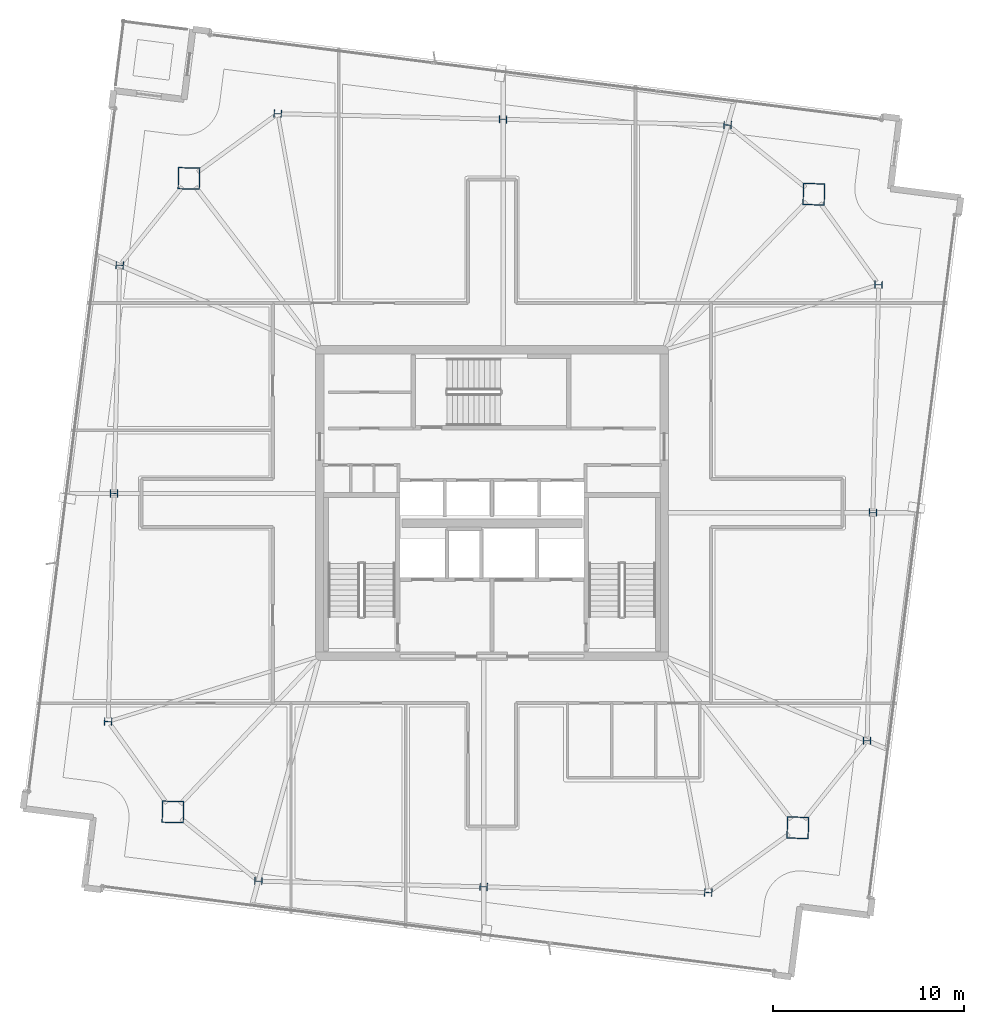
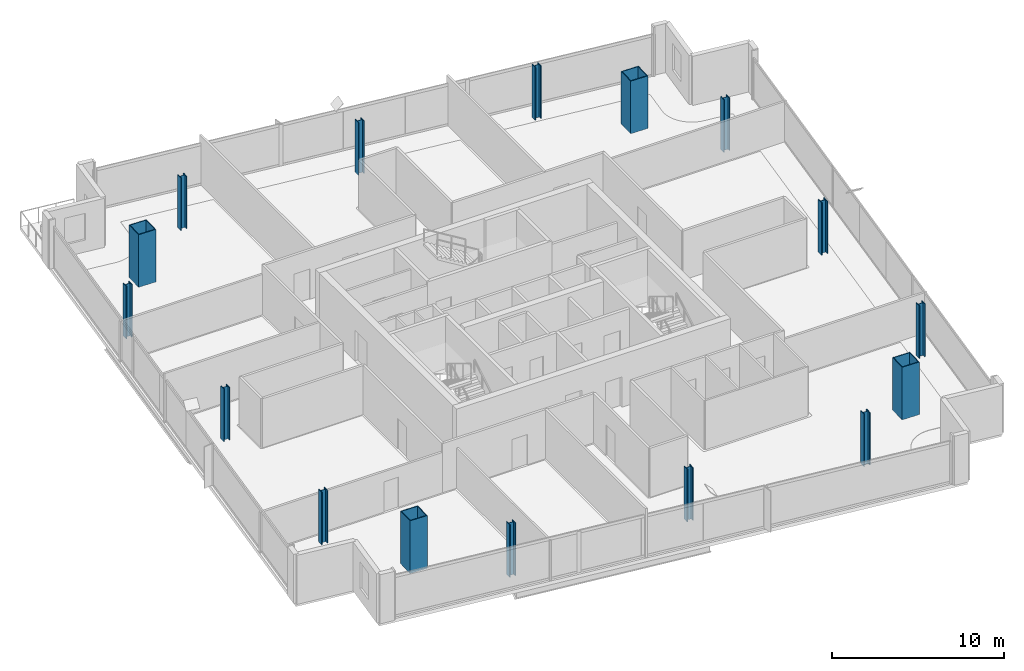
# One storey, part 1 of 23: 16 columns.
"""IFC4 building model written with IfcOpenShell, lengths in metres."""

from ifc_helpers import new_model, si_unit, direction, frame, origin, origin_2d, place, context, subcontext, project, spatial, hollow_rectangle, i_section, extrude, material, material_profile, profile_set, type_object, element, save


model = new_model("IFC4")

# Units and contexts
model_context = context("Model", 3, precision=1e-05, world=origin(), true_north=direction((0.0, 1.0)))
body_context = subcontext(model_context, "Body", "Model", "MODEL_VIEW")
ifc_project = project(units=[si_unit("LENGTHUNIT", "METRE"), si_unit("AREAUNIT", "SQUARE_METRE"), si_unit("VOLUMEUNIT", "CUBIC_METRE"), si_unit("PLANEANGLEUNIT", "RADIAN"), si_unit("MASSUNIT", "GRAM", prefix="KILO")], contexts=[model_context])

# Site, building, storey
site_placement = place(None, origin())
site = spatial("IfcSite", under=ifc_project, at=site_placement, CompositionType="ELEMENT")
building_placement = place(site_placement, origin())
building = spatial("IfcBuilding", under=site, at=building_placement, Name="Haldenkirk Collegiate Tower", CompositionType="ELEMENT")
storey_placement = place(building_placement, frame((0.0, 0.0, 306.449951171875)))
storey = spatial("IfcBuildingStorey", under=building, at=storey_placement, Name="L77", CompositionType="ELEMENT", Elevation=306.449951171875)

# Columns
ifc_material_1 = material(Name="Steel ASTM A913 Grade 65", Category="steel")
ifc_material_profile_1 = material_profile(ifc_material_1, i_section(OverallWidth=0.406005859375, OverallDepth=0.416015625, WebThickness=0.02978515625, FlangeThickness=0.048095703125, at=origin_2d()), Name="W14X257")
ifc_profile_set_1 = profile_set([ifc_material_profile_1], Name="Steel ASTM A913 Grade 65")
column_type_1 = type_object("IfcColumnType", Name="COL-INT-W14X257", PredefinedType="COLUMN", material=ifc_profile_set_1)
for number, where, z_axis, x_axis, name in (
    (1, (55.592041015625, 13.584228515625, 0.0), (0.0, 0.0, 1.0), (0.025304572866, 0.999679788028, 0.0), "L77 perimeter gravity column PC-S1"),
    (2, (55.8935546875, 25.496337890625, 0.0), (0.0, 0.0, 1.0), (0.025304572866, 0.999679788028, 0.0), "L77 perimeter gravity column PC-S2"),
    (3, (56.1953125, 37.40869140625, 0.0), (0.0, 0.0, 1.0), (0.025304572866, 0.999679788028, 0.0), "L77 perimeter gravity column PC-S3"),
    (4, (48.3115234375, 45.744873046875, 0.0), (0.0, 0.0, 1.0), (0.025304572866, 0.999679788028, 0.0), "L77 perimeter gravity column PC-E1"),
    (5, (36.582275390625, 46.041748046875, 0.0), (0.0, 0.0, 1.0), (0.025304572866, 0.999679788028, 0.0), "L77 perimeter gravity column PC-E2"),
    (6, (24.81103515625, 46.339599609375, 0.0), (0.0, 0.0, 1.0), (0.025304572866, 0.999679788028, 0.0), "L77 perimeter gravity column PC-E3"),
    (7, (16.557861328125, 38.411865234375, 0.0), (0.0, 0.0, 1.0), (0.025304572866, 0.999679788028, 0.0), "L77 perimeter gravity column PC-N1"),
    (8, (16.25634765625, 26.499755859375, 0.0), (0.0, 0.0, 1.0), (0.025304572866, 0.999679788028, 0.0), "L77 perimeter gravity column PC-N2"),
    (9, (15.954833984375, 14.587646484375, 0.0), (0.0, 0.0, 1.0), (0.025304572866, 0.999679788028, 0.0), "L77 perimeter gravity column PC-N3"),
    (10, (23.79638671875, 6.25244140625, 0.0), (0.0, 0.0, 1.0), (0.025304572866, 0.999679788028, 0.0), "L77 perimeter gravity column PC-W1"),
    (11, (35.567626953125, 5.95458984375, 0.0), (0.0, 0.0, 1.0), (0.025304572866, 0.999679788028, 0.0), "L77 perimeter gravity column PC-W2"),
    (12, (47.296875, 5.65771484375, 0.0), (0.0, 0.0, 1.0), (0.025304572866, 0.999679788028, 0.0), "L77 perimeter gravity column PC-W3"),
):
    element("IfcColumn", number, at=place(storey_placement, frame(where, z_axis=z_axis, x_axis=x_axis)), inside=storey, type_object=column_type_1, Name=name, PredefinedType="COLUMN", context=body_context, shape_type="SweptSolid", body=[
        extrude(i_section(OverallWidth=0.406005859375, OverallDepth=0.416015625, WebThickness=0.02978515625, FlangeThickness=0.048095703125, at=origin_2d()), origin(), (0.0, 0.0, 1.0), 3.75),
    ])
ifc_material_2 = material(Name="Steel ASTM A572 Grade 50", Category="steel")
ifc_material_profile_2 = material_profile(ifc_material_2, hollow_rectangle(XDim=1.14990234375, YDim=1.14990234375, WallThickness=0.050048828125, at=origin_2d()), Name="BOX1150X1150X50")
ifc_profile_set_2 = profile_set([ifc_material_profile_2], Name="Steel ASTM A572 Grade 50")
column_type_2 = type_object("IfcColumnType", Name="COL-MEGA-BOX1150X1150X50", PredefinedType="COLUMN", material=ifc_profile_set_2)
for number, where, z_axis, x_axis, name in (
    (13, (51.97607421875, 9.040283203125, 0.0), (0.0, 0.0, 1.0), (0.025304572866, 0.999679788028, 0.0), "L77 corner mega-column MC1"),
    (14, (52.8134765625, 42.129638671875, 0.0), (0.0, 0.0, 1.0), (0.025304572866, 0.999679788028, 0.0), "L77 corner mega-column MC2"),
    (15, (20.174072265625, 42.955810546875, 0.0), (0.0, 0.0, 1.0), (0.025304572866, 0.999679788028, 0.0), "L77 corner mega-column MC3"),
    (16, (19.33642578125, 9.866455078125, 0.0), (0.0, 0.0, 1.0), (0.025304572866, 0.999679788028, 0.0), "L77 corner mega-column MC4"),
):
    element("IfcColumn", number, at=place(storey_placement, frame(where, z_axis=z_axis, x_axis=x_axis)), inside=storey, type_object=column_type_2, Name=name, PredefinedType="COLUMN", context=body_context, shape_type="SweptSolid", body=[
        extrude(hollow_rectangle(XDim=1.14990234375, YDim=1.14990234375, WallThickness=0.050048828125, at=origin_2d()), origin(), (0.0, 0.0, 1.0), 3.75),
    ])

save(model, "model.ifc")
